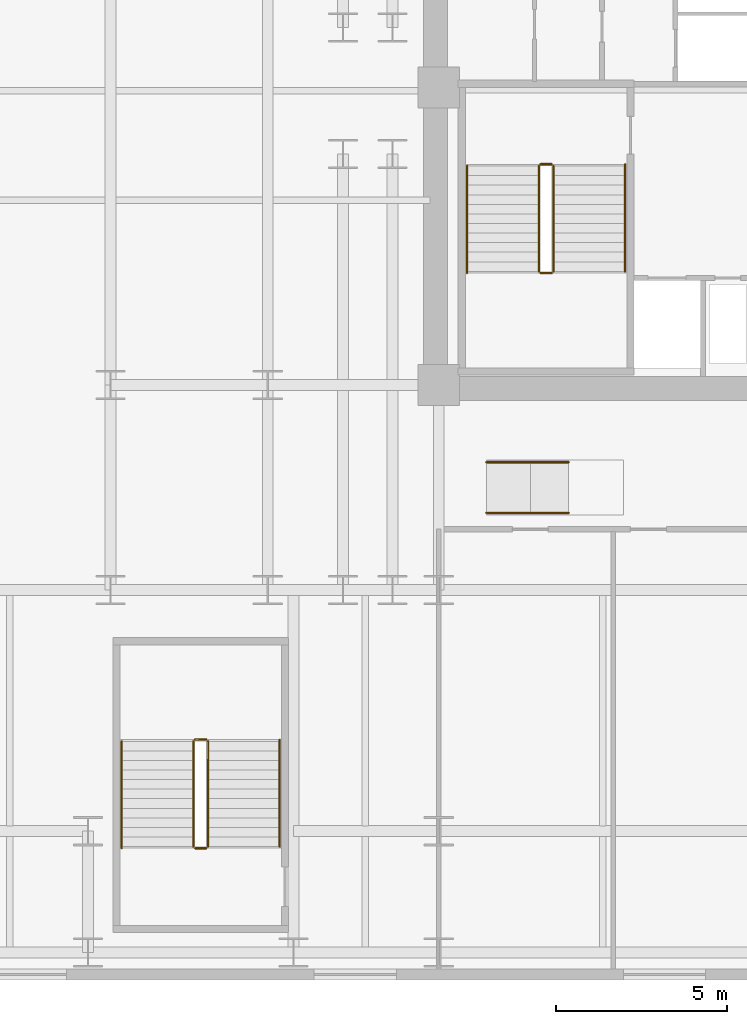
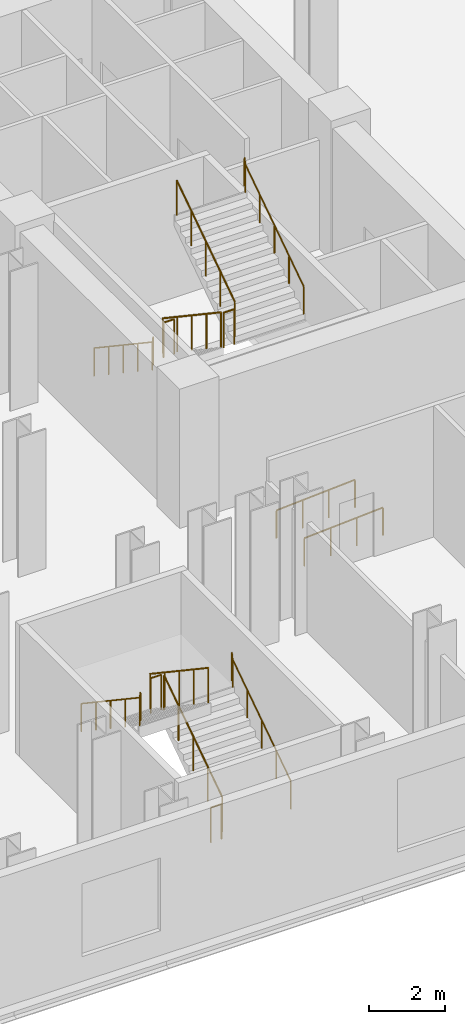
# One storey, part 12 of 13: 14 railings.
"""IFC4 building model written with IfcOpenShell, lengths in metres."""

from ifc_helpers import new_model, si_unit, direction, frame, origin, origin_2d, place, context, subcontext, project, spatial, circle, extrude, material, type_object, element, save


model = new_model("IFC4")

# Units and contexts
model_context = context("Model", 3, precision=1e-05, world=origin(), true_north=direction((0.0, 1.0)))
body_context = subcontext(model_context, "Body", "Model", "MODEL_VIEW")
ifc_project = project(units=[si_unit("LENGTHUNIT", "METRE"), si_unit("AREAUNIT", "SQUARE_METRE"), si_unit("VOLUMEUNIT", "CUBIC_METRE"), si_unit("PLANEANGLEUNIT", "RADIAN"), si_unit("MASSUNIT", "GRAM", prefix="KILO")], contexts=[model_context])

# Site, building, storey
site_placement = place(None, origin())
site = spatial("IfcSite", under=ifc_project, at=site_placement, CompositionType="ELEMENT")
building_placement = place(site_placement, origin())
building = spatial("IfcBuilding", under=site, at=building_placement, Name="Velakula Bourse", CompositionType="ELEMENT")
storey_placement = place(building_placement, frame((0.0, 0.0, 5.10009765625)))
storey = spatial("IfcBuildingStorey", under=building, at=storey_placement, Name="L01", CompositionType="ELEMENT", Elevation=5.10009765625)

# Railings
ifc_material = material(Name="Brushed grade 316 stainless steel", Category="steel")
railing_type_1 = type_object("IfcRailingType", Name="RLG-STAIR-GUARD-1150", PredefinedType="BALUSTRADE", material=ifc_material)
railing_1_placement = place(storey_placement, frame((-15.672119140625, -2.199951171875, 0.1875)))
element("IfcRailing", 1, at=railing_1_placement, inside=storey, type_object=railing_type_1, Name="L01 ST-W1 stair guard 1", PredefinedType="BALUSTRADE", context=body_context, shape_type="SweptSolid", body=[
    extrude(circle(Radius=0.02490234375, at=origin_2d()), frame((0.0, 0.0, 1.125), z_axis=(0.0, -0.830913701846, 0.55640131208), x_axis=(1.0, 0.0, 0.0)), (0.0, 0.0, 1.0), 3.706787109375),
    extrude(circle(Radius=0.02099609375, at=origin_2d()), origin(), (0.0, 0.0, 1.0), 1.099853515625),
    extrude(circle(Radius=0.02099609375, at=origin_2d()), frame((0.0, -0.77001953125, 0.515625)), (0.0, 0.0, 1.0), 1.099853515625),
    extrude(circle(Radius=0.02099609375, at=origin_2d()), frame((0.0, -1.5400390625, 1.03125)), (0.0, 0.0, 1.0), 1.099853515625),
    extrude(circle(Radius=0.02099609375, at=origin_2d()), frame((0.0, -2.31005859375, 1.546875)), (0.0, 0.0, 1.0), 1.099853515625),
    extrude(circle(Radius=0.02099609375, at=origin_2d()), frame((0.0, -3.080078125, 2.0625)), (0.0, 0.0, 1.0), 1.099853515625),
])
railing_2_placement = place(storey_placement, frame((-15.6220703125, -5.330078125, 2.25)))
element("IfcRailing", 2, at=railing_2_placement, inside=storey, type_object=railing_type_1, Name="L01 ST-W1 stair guard 2", PredefinedType="BALUSTRADE", context=body_context, shape_type="SweptSolid", body=[
    extrude(circle(Radius=0.02490234375, at=origin_2d()), frame((0.0, 0.0, 1.125), z_axis=(1.0, 0.0, 0.0), x_axis=(0.0, 1.0, 0.0)), (0.0, 0.0, 1.0), 0.323974609375),
    extrude(circle(Radius=0.02099609375, at=origin_2d()), origin(), (0.0, 0.0, 1.0), 1.099853515625),
    extrude(circle(Radius=0.02099609375, at=origin_2d()), frame((0.323974609375, 0.0, 0.0)), (0.0, 0.0, 1.0), 1.099853515625),
])
railing_3_placement = place(storey_placement, frame((-15.248046875, -5.280029296875, 2.4375)))
element("IfcRailing", 3, at=railing_3_placement, inside=storey, type_object=railing_type_1, Name="L01 ST-W1 stair guard 3", PredefinedType="BALUSTRADE", context=body_context, shape_type="SweptSolid", body=[
    extrude(circle(Radius=0.02490234375, at=origin_2d()), frame((0.0, 0.0, 1.125), z_axis=(0.0, 0.830913701846, 0.55640131208), x_axis=(-1.0, 0.0, 0.0)), (0.0, 0.0, 1.0), 3.706787109375),
    extrude(circle(Radius=0.02099609375, at=origin_2d()), origin(), (0.0, 0.0, 1.0), 1.099853515625),
    extrude(circle(Radius=0.02099609375, at=origin_2d()), frame((0.0, 0.77001953125, 0.515625)), (0.0, 0.0, 1.0), 1.099853515625),
    extrude(circle(Radius=0.02099609375, at=origin_2d()), frame((0.0, 1.5400390625, 1.03125)), (0.0, 0.0, 1.0), 1.099853515625),
    extrude(circle(Radius=0.02099609375, at=origin_2d()), frame((0.0, 2.31005859375, 1.546875)), (0.0, 0.0, 1.0), 1.099853515625),
    extrude(circle(Radius=0.02099609375, at=origin_2d()), frame((0.0, 3.080078125, 2.0625)), (0.0, 0.0, 1.0), 1.099853515625),
])
railing_4_placement = place(storey_placement, frame((-15.6220703125, -2.14990234375, 0.0)))
element("IfcRailing", 4, at=railing_4_placement, inside=storey, type_object=railing_type_1, Name="L01 ST-W1 stair guard 4", PredefinedType="BALUSTRADE", context=body_context, shape_type="SweptSolid", body=[
    extrude(circle(Radius=0.02490234375, at=origin_2d()), frame((0.0, 0.0, 1.125), z_axis=(1.0, 0.0, 0.0), x_axis=(0.0, 1.0, 0.0)), (0.0, 0.0, 1.0), 0.323974609375),
    extrude(circle(Radius=0.02099609375, at=origin_2d()), origin(), (0.0, 0.0, 1.0), 1.099853515625),
    extrude(circle(Radius=0.02099609375, at=origin_2d()), frame((0.323974609375, 0.0, 0.0)), (0.0, 0.0, 1.0), 1.099853515625),
])
railing_5_placement = place(storey_placement, frame((-25.347900390625, -22.10009765625, 0.1875)))
element("IfcRailing", 5, at=railing_5_placement, inside=storey, type_object=railing_type_1, Name="L01 ST-P1 stair guard 1", PredefinedType="BALUSTRADE", context=body_context, shape_type="SweptSolid", body=[
    extrude(circle(Radius=0.02490234375, at=origin_2d()), frame((0.0, 0.0, 1.125), z_axis=(0.0, 0.830913701846, 0.55640131208), x_axis=(-1.0, 0.0, 0.0)), (0.0, 0.0, 1.0), 3.706787109375),
    extrude(circle(Radius=0.02099609375, at=origin_2d()), origin(), (0.0, 0.0, 1.0), 1.099853515625),
    extrude(circle(Radius=0.02099609375, at=origin_2d()), frame((0.0, 0.77001953125, 0.515625)), (0.0, 0.0, 1.0), 1.099853515625),
    extrude(circle(Radius=0.02099609375, at=origin_2d()), frame((0.0, 1.5400390625, 1.03125)), (0.0, 0.0, 1.0), 1.099853515625),
    extrude(circle(Radius=0.02099609375, at=origin_2d()), frame((0.0, 2.31005859375, 1.546875)), (0.0, 0.0, 1.0), 1.099853515625),
    extrude(circle(Radius=0.02099609375, at=origin_2d()), frame((0.0, 3.080078125, 2.0625)), (0.0, 0.0, 1.0), 1.099853515625),
])
railing_6_placement = place(storey_placement, frame((-25.39794921875, -18.969970703125, 2.25)))
element("IfcRailing", 6, at=railing_6_placement, inside=storey, type_object=railing_type_1, Name="L01 ST-P1 stair guard 2", PredefinedType="BALUSTRADE", context=body_context, shape_type="SweptSolid", body=[
    extrude(circle(Radius=0.02490234375, at=origin_2d()), frame((0.0, 0.0, 1.125), z_axis=(-1.0, 0.0, 0.0), x_axis=(0.0, -1.0, 0.0)), (0.0, 0.0, 1.0), 0.323974609375),
    extrude(circle(Radius=0.02099609375, at=origin_2d()), origin(), (0.0, 0.0, 1.0), 1.099853515625),
    extrude(circle(Radius=0.02099609375, at=origin_2d()), frame((-0.323974609375, 0.0, 0.0)), (0.0, 0.0, 1.0), 1.099853515625),
])
railing_7_placement = place(storey_placement, frame((-25.77197265625, -19.02001953125, 2.4375)))
element("IfcRailing", 7, at=railing_7_placement, inside=storey, type_object=railing_type_1, Name="L01 ST-P1 stair guard 3", PredefinedType="BALUSTRADE", context=body_context, shape_type="SweptSolid", body=[
    extrude(circle(Radius=0.02490234375, at=origin_2d()), frame((0.0, 0.0, 1.125), z_axis=(0.0, -0.830913701846, 0.55640131208), x_axis=(1.0, 0.0, 0.0)), (0.0, 0.0, 1.0), 3.706787109375),
    extrude(circle(Radius=0.02099609375, at=origin_2d()), origin(), (0.0, 0.0, 1.0), 1.099853515625),
    extrude(circle(Radius=0.02099609375, at=origin_2d()), frame((0.0, -0.77001953125, 0.515625)), (0.0, 0.0, 1.0), 1.099853515625),
    extrude(circle(Radius=0.02099609375, at=origin_2d()), frame((0.0, -1.5400390625, 1.03125)), (0.0, 0.0, 1.0), 1.099853515625),
    extrude(circle(Radius=0.02099609375, at=origin_2d()), frame((0.0, -2.31005859375, 1.546875)), (0.0, 0.0, 1.0), 1.099853515625),
    extrude(circle(Radius=0.02099609375, at=origin_2d()), frame((0.0, -3.080078125, 2.0625)), (0.0, 0.0, 1.0), 1.099853515625),
])
railing_8_placement = place(storey_placement, frame((-25.39794921875, -22.14990234375, 0.0)))
element("IfcRailing", 8, at=railing_8_placement, inside=storey, type_object=railing_type_1, Name="L01 ST-P1 stair guard 4", PredefinedType="BALUSTRADE", context=body_context, shape_type="SweptSolid", body=[
    extrude(circle(Radius=0.02490234375, at=origin_2d()), frame((0.0, 0.0, 1.125), z_axis=(-1.0, 0.0, 0.0), x_axis=(0.0, -1.0, 0.0)), (0.0, 0.0, 1.0), 0.323974609375),
    extrude(circle(Radius=0.02099609375, at=origin_2d()), origin(), (0.0, 0.0, 1.0), 1.099853515625),
    extrude(circle(Radius=0.02099609375, at=origin_2d()), frame((-0.323974609375, 0.0, 0.0)), (0.0, 0.0, 1.0), 1.099853515625),
])
railing_type_2 = type_object("IfcRailingType", Name="RLG-STAIR-HAND-920", PredefinedType="HANDRAIL", material=ifc_material)
railing_9_placement = place(storey_placement, frame((-17.77001953125, -2.199951171875, 0.1875)))
element("IfcRailing", 9, at=railing_9_placement, inside=storey, type_object=railing_type_2, Name="L01 ST-W1 stair handrail 1", PredefinedType="HANDRAIL", context=body_context, shape_type="SweptSolid", body=[
    extrude(circle(Radius=0.02099609375, at=origin_2d()), frame((0.0, 0.0, 0.89892578125), z_axis=(0.0, -0.830913701846, 0.55640131208), x_axis=(1.0, 0.0, 0.0)), (0.0, 0.0, 1.0), 3.706787109375),
    extrude(circle(Radius=0.02099609375, at=origin_2d()), frame((0.0, -3.080078125, 2.96142578125), z_axis=(0.0, -0.208833338674, 0.97795124452), x_axis=(1.0, 0.0, 0.0)), (0.0, 0.0, 1.0), 0.191650390625),
    extrude(circle(Radius=0.02099609375, at=origin_2d()), frame((0.0, -3.1201171875, 3.14892578125), z_axis=(0.0, -1.0, 0.0), x_axis=(1.0, 0.0, 0.0)), (0.0, 0.0, 1.0), 0.0048828125),
    extrude(circle(Radius=0.02099609375, at=origin_2d()), origin(), (0.0, 0.0, 1.0), 0.8779296875),
    extrude(circle(Radius=0.02099609375, at=origin_2d()), frame((0.0, -0.77001953125, 0.515625)), (0.0, 0.0, 1.0), 0.8779296875),
    extrude(circle(Radius=0.02099609375, at=origin_2d()), frame((0.0, -1.5400390625, 1.03125)), (0.0, 0.0, 1.0), 0.8779296875),
    extrude(circle(Radius=0.02099609375, at=origin_2d()), frame((0.0, -2.31005859375, 1.546875)), (0.0, 0.0, 1.0), 0.8779296875),
    extrude(circle(Radius=0.02099609375, at=origin_2d()), frame((0.0, -3.080078125, 2.0625)), (0.0, 0.0, 1.0), 0.8779296875),
    extrude(circle(Radius=0.02099609375, at=origin_2d()), frame((0.0, -3.1201171875, 2.25)), (0.0, 0.0, 1.0), 0.8779296875),
    extrude(circle(Radius=0.02099609375, at=origin_2d()), frame((0.0, -3.125, 2.25)), (0.0, 0.0, 1.0), 0.8779296875),
])
for number, where, name in (
    (10, (-13.14990234375, -5.280029296875, 2.4375), "L01 ST-W1 stair handrail 2"),
    (11, (-23.25, -22.10009765625, 0.1875), "L01 ST-P1 stair handrail 1"),
):
    element("IfcRailing", number, at=place(storey_placement, frame(where)), inside=storey, type_object=railing_type_2, Name=name, PredefinedType="HANDRAIL", context=body_context, shape_type="SweptSolid", body=[
        extrude(circle(Radius=0.02099609375, at=origin_2d()), frame((0.0, 0.0, 0.89892578125), z_axis=(0.0, 0.830913701846, 0.55640131208), x_axis=(-1.0, 0.0, 0.0)), (0.0, 0.0, 1.0), 3.706787109375),
        extrude(circle(Radius=0.02099609375, at=origin_2d()), frame((0.0, 3.080078125, 2.96142578125), z_axis=(0.0, 0.208833338674, 0.97795124452), x_axis=(-1.0, 0.0, 0.0)), (0.0, 0.0, 1.0), 0.191650390625),
        extrude(circle(Radius=0.02099609375, at=origin_2d()), frame((0.0, 3.1201171875, 3.14892578125), z_axis=(0.0, 1.0, 0.0), x_axis=(-1.0, 0.0, 0.0)), (0.0, 0.0, 1.0), 0.0048828125),
        extrude(circle(Radius=0.02099609375, at=origin_2d()), origin(), (0.0, 0.0, 1.0), 0.8779296875),
        extrude(circle(Radius=0.02099609375, at=origin_2d()), frame((0.0, 0.77001953125, 0.515625)), (0.0, 0.0, 1.0), 0.8779296875),
        extrude(circle(Radius=0.02099609375, at=origin_2d()), frame((0.0, 1.5400390625, 1.03125)), (0.0, 0.0, 1.0), 0.8779296875),
        extrude(circle(Radius=0.02099609375, at=origin_2d()), frame((0.0, 2.31005859375, 1.546875)), (0.0, 0.0, 1.0), 0.8779296875),
        extrude(circle(Radius=0.02099609375, at=origin_2d()), frame((0.0, 3.080078125, 2.0625)), (0.0, 0.0, 1.0), 0.8779296875),
        extrude(circle(Radius=0.02099609375, at=origin_2d()), frame((0.0, 3.1201171875, 2.25)), (0.0, 0.0, 1.0), 0.8779296875),
        extrude(circle(Radius=0.02099609375, at=origin_2d()), frame((0.0, 3.125, 2.25)), (0.0, 0.0, 1.0), 0.8779296875),
    ])
railing_10_placement = place(storey_placement, frame((-27.8701171875, -19.02001953125, 2.4375)))
element("IfcRailing", 12, at=railing_10_placement, inside=storey, type_object=railing_type_2, Name="L01 ST-P1 stair handrail 2", PredefinedType="HANDRAIL", context=body_context, shape_type="SweptSolid", body=[
    extrude(circle(Radius=0.02099609375, at=origin_2d()), frame((0.0, 0.0, 0.89892578125), z_axis=(0.0, -0.830913701846, 0.55640131208), x_axis=(1.0, 0.0, 0.0)), (0.0, 0.0, 1.0), 3.706787109375),
    extrude(circle(Radius=0.02099609375, at=origin_2d()), frame((0.0, -3.080078125, 2.96142578125), z_axis=(0.0, -0.20761501323, 0.97821061448), x_axis=(1.0, 0.0, 0.0)), (0.0, 0.0, 1.0), 0.191650390625),
    extrude(circle(Radius=0.02099609375, at=origin_2d()), frame((0.0, -3.119873046875, 3.14892578125), z_axis=(0.0, -1.0, 0.0), x_axis=(1.0, 0.0, 0.0)), (0.0, 0.0, 1.0), 0.005126953125),
    extrude(circle(Radius=0.02099609375, at=origin_2d()), origin(), (0.0, 0.0, 1.0), 0.8779296875),
    extrude(circle(Radius=0.02099609375, at=origin_2d()), frame((0.0, -0.77001953125, 0.515625)), (0.0, 0.0, 1.0), 0.8779296875),
    extrude(circle(Radius=0.02099609375, at=origin_2d()), frame((0.0, -1.5400390625, 1.03125)), (0.0, 0.0, 1.0), 0.8779296875),
    extrude(circle(Radius=0.02099609375, at=origin_2d()), frame((0.0, -2.31005859375, 1.546875)), (0.0, 0.0, 1.0), 0.8779296875),
    extrude(circle(Radius=0.02099609375, at=origin_2d()), frame((0.0, -3.080078125, 2.0625)), (0.0, 0.0, 1.0), 0.8779296875),
    extrude(circle(Radius=0.02099609375, at=origin_2d()), frame((0.0, -3.119873046875, 2.25)), (0.0, 0.0, 1.0), 0.8779296875),
    extrude(circle(Radius=0.02099609375, at=origin_2d()), frame((0.0, -3.125, 2.25)), (0.0, 0.0, 1.0), 0.8779296875),
])
for number, where, name in (
    (13, (-17.199951171875, -12.340087890625, 0.0), "L01 West Concourse Step-Free Ramp Handrail 1"),
    (14, (-17.199951171875, -10.860107421875, 0.0), "L01 West Concourse Step-Free Ramp Handrail 2"),
):
    element("IfcRailing", number, at=place(storey_placement, frame(where)), inside=storey, type_object=railing_type_2, Name=name, PredefinedType="HANDRAIL", context=body_context, shape_type="SweptSolid", body=[
        extrude(circle(Radius=0.02392578125, at=origin_2d()), frame((0.0, 0.0, 0.89599609375), z_axis=(0.998054948148, 0.0, 0.062340359935), x_axis=(0.0, 1.0, 0.0)), (0.0, 0.0, 1.0), 2.404541015625),
        extrude(circle(Radius=0.02099609375, at=origin_2d()), origin(), (0.0, 0.0, 1.0), 0.871826171875),
        extrude(circle(Radius=0.02099609375, at=origin_2d()), frame((0.800048828125, 0.0, 0.050048828125)), (0.0, 0.0, 1.0), 0.871826171875),
        extrude(circle(Radius=0.02099609375, at=origin_2d()), frame((1.599853515625, 0.0, 0.099853515625)), (0.0, 0.0, 1.0), 0.871826171875),
        extrude(circle(Radius=0.02099609375, at=origin_2d()), frame((2.39990234375, 0.0, 0.14990234375)), (0.0, 0.0, 1.0), 0.871826171875),
    ])

save(model, "model.ifc")
